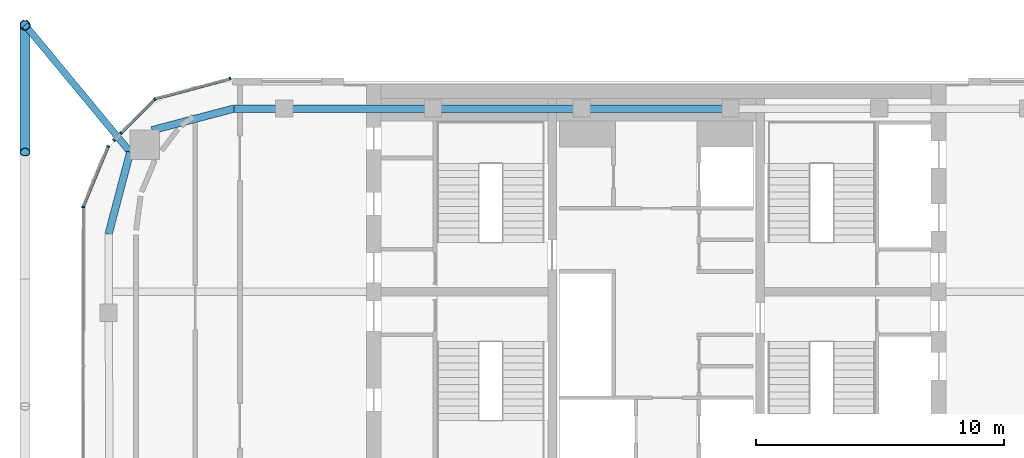
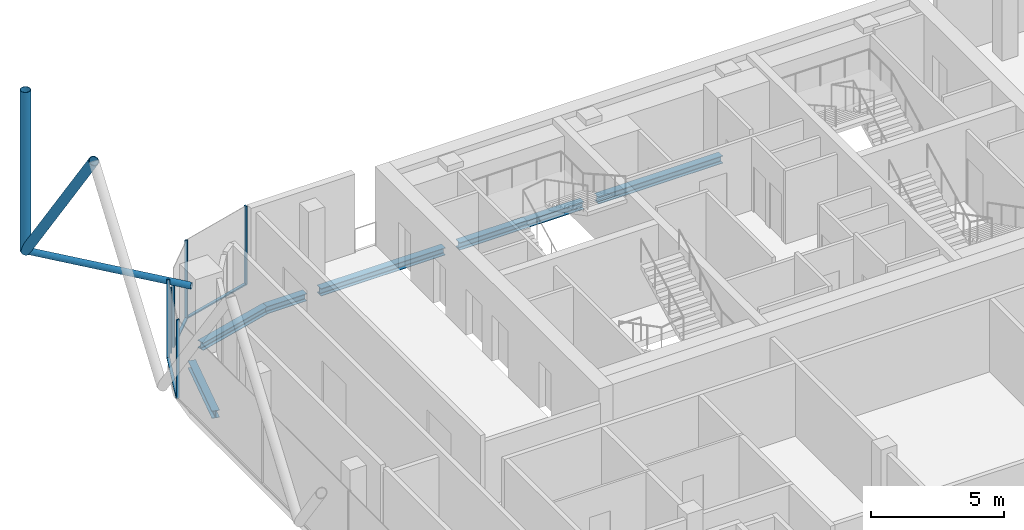
# One storey, part 10 of 27: 12 members, 6 beams, 5 elements without a shape of their own.
"""IFC4 building model written with IfcOpenShell, lengths in metres."""

import ifcopenshell
import ifcopenshell.guid

model = None  # the IFC model being written
_history = None  # IfcOwnerHistory: only IFC2X3 demands one
_inside = {}  # id of a spatial element -> (the spatial element, [elements in it])
_under = {}  # id of a project, library or spatial element -> (it, [spatial elements below it])
_declared = {}  # id of a project -> (the project, [libraries it declares])
_typed = {}  # id of a type object -> (the type object, [elements of that type])
_made_of = {}  # id of a material, layer set ... -> (it, [elements and type objects made of it])


def new_model(schema):
    """Start an empty IFC model of exactly this schema.

    Asked for "IFC4X3", IfcOpenShell would pick the latest addendum, in which some entities
    have other attributes; the version numbers below select the first issue.
    IFC2X3 requires an IfcOwnerHistory on every rooted entity: one is made here for all.
    """
    global model, _history
    if schema == "IFC4X3":
        model = ifcopenshell.file(schema_version=(4, 3, 0, 0))
    else:
        model = ifcopenshell.file(schema=schema)
    _inside.clear()
    _under.clear()
    _declared.clear()
    _typed.clear()
    _made_of.clear()
    _history = None
    if model.schema == "IFC2X3":
        org = make("IfcOrganization", Name="unknown")
        user = make(
            "IfcPersonAndOrganization",
            ThePerson=make("IfcPerson", FamilyName="unknown"),
            TheOrganization=org,
        )
        app = make(
            "IfcApplication",
            ApplicationDeveloper=org,
            Version="unknown",
            ApplicationFullName="unknown",
            ApplicationIdentifier="unknown",
        )
        _history = make(
            "IfcOwnerHistory",
            OwningUser=user,
            OwningApplication=app,
            ChangeAction="ADDED",
            CreationDate=0,
        )
    return model


def make(cls, **values):
    """One entity of the class cls with the attributes given. An attribute that is None is left unset."""
    return model.create_entity(
        cls, **{name: value for name, value in values.items() if value is not None}
    )


def rooted(cls, **values):
    """An entity with a GlobalId (a new one), such as an element, a storey or a relation."""
    return make(cls, GlobalId=ifcopenshell.guid.new(), OwnerHistory=_history, **values)


def si_unit(unit_type, name, prefix=None):
    """IfcSIUnit, for example si_unit("LENGTHUNIT", "METRE", prefix="MILLI")."""
    return make("IfcSIUnit", UnitType=unit_type, Prefix=prefix, Name=name)


def assignment(units):
    """IfcUnitAssignment: the units of a project."""
    return None if units is None else make("IfcUnitAssignment", Units=units)


def point(xyz):
    """IfcCartesianPoint."""
    return None if xyz is None else make("IfcCartesianPoint", Coordinates=xyz)


def direction(xyz):
    """IfcDirection."""
    return None if xyz is None else make("IfcDirection", DirectionRatios=xyz)


def frame(location, z_axis=None, x_axis=None):
    """IfcAxis2Placement3D, a coordinate frame: its origin and axes. An axis left out is left unset."""
    return make(
        "IfcAxis2Placement3D",
        Location=point(location),
        Axis=direction(z_axis),
        RefDirection=direction(x_axis),
    )


def frame_2d(location, x_axis=None):
    """IfcAxis2Placement2D, a coordinate frame in the plane: its origin and x axis."""
    return make(
        "IfcAxis2Placement2D", Location=point(location), RefDirection=direction(x_axis)
    )


def origin():
    """The frame at (0, 0, 0) with its axes left unset."""
    return frame((0.0, 0.0, 0.0))


def origin_2d():
    """The frame at (0, 0) in the plane with its x axis left unset."""
    return frame_2d((0.0, 0.0))


def place(relative_to, where):
    """IfcLocalPlacement: puts the frame where relative to a parent placement (None: the world)."""
    return make(
        "IfcLocalPlacement", PlacementRelTo=relative_to, RelativePlacement=where
    )


def context(
    kind, dimensions, precision=None, world=None, true_north=None, identifier=None
):
    """IfcGeometricRepresentationContext, for example the 3D "Model" context."""
    return make(
        "IfcGeometricRepresentationContext",
        ContextIdentifier=identifier,
        ContextType=kind,
        CoordinateSpaceDimension=dimensions,
        Precision=precision,
        WorldCoordinateSystem=world,
        TrueNorth=true_north,
    )


def subcontext(parent, identifier, kind, view, scale=None):
    """IfcGeometricRepresentationSubContext, for example "Body" below "Model"."""
    return make(
        "IfcGeometricRepresentationSubContext",
        ContextIdentifier=identifier,
        ContextType=kind,
        ParentContext=parent,
        TargetScale=scale,
        TargetView=view,
    )


def project(units=None, contexts=None):
    """IfcProject with its units and contexts."""
    return rooted(
        "IfcProject",
        Name="project",
        RepresentationContexts=contexts,
        UnitsInContext=assignment(units),
    )


def spatial(cls, under=None, at=None, **own):
    """A site, building, storey or space (cls), placed at a placement, below another one or the project."""
    s = rooted(cls, ObjectPlacement=at, **own)
    if under is not None:
        _under.setdefault(under.id(), (under, []))[1].append(s)
    return s


def profile(cls, at=None, kind="AREA", **sizes):
    """A parametric profile (cls). Its sizes go by their IFC names, for example OverallWidth=200.0."""
    return make(cls, ProfileType=kind, Position=at, **sizes)


def rectangle(**sizes):
    """IfcRectangleProfileDef."""
    return profile("IfcRectangleProfileDef", **sizes)


def hollow_circle(**sizes):
    """IfcCircleHollowProfileDef."""
    return profile("IfcCircleHollowProfileDef", **sizes)


def i_section(**sizes):
    """IfcIShapeProfileDef."""
    return profile("IfcIShapeProfileDef", **sizes)


def extrude(swept, where, along, depth):
    """IfcExtrudedAreaSolid: the profile swept, set in the frame where, extruded along a direction by depth."""
    return make(
        "IfcExtrudedAreaSolid",
        SweptArea=swept,
        Position=where,
        ExtrudedDirection=direction(along),
        Depth=depth,
    )


def shape(context_of_items, identifier, shape_type, items):
    """IfcShapeRepresentation: the items that make up one representation, for example the "Body"."""
    return make(
        "IfcShapeRepresentation",
        ContextOfItems=context_of_items,
        RepresentationIdentifier=identifier,
        RepresentationType=shape_type,
        Items=items,
    )


def material(Name=None, Category=None):
    """IfcMaterial."""
    return make("IfcMaterial", Name=Name, Category=Category)


def layer(
    of_material, thickness, ventilated=None, Name=None, Category=None, Priority=None
):
    """IfcMaterialLayer: one layer of a wall or slab, of a material (None: an air gap)."""
    return make(
        "IfcMaterialLayer",
        Material=of_material,
        LayerThickness=thickness,
        IsVentilated=ventilated,
        Name=Name,
        Category=Category,
        Priority=Priority,
    )


def layer_set(layers, Name=None):
    """IfcMaterialLayerSet."""
    return make("IfcMaterialLayerSet", MaterialLayers=layers, LayerSetName=Name)


def material_profile(
    of_material, cross_section, Name=None, Category=None, Priority=None
):
    """IfcMaterialProfile: a cross section and its material."""
    return make(
        "IfcMaterialProfile",
        Name=Name,
        Material=of_material,
        Profile=cross_section,
        Priority=Priority,
        Category=Category,
    )


def profile_set(profiles, Name=None, composite=None):
    """IfcMaterialProfileSet."""
    return make(
        "IfcMaterialProfileSet",
        Name=Name,
        MaterialProfiles=profiles,
        CompositeProfile=composite,
    )


def made_of(thing, what):
    """Note that an element or type object is made of a material, layer set ...; save() writes the relation."""
    if what is not None:
        _made_of.setdefault(what.id(), (what, []))[1].append(thing)
    return thing


def type_object(cls, material=None, **own):
    """A type object (cls), such as IfcWallType, which elements share."""
    return made_of(rooted(cls, **own), material)


def element(
    cls,
    number,
    at=None,
    inside=None,
    cuts=None,
    type_object=None,
    material=None,
    context=None,
    identifier="Body",
    shape_type=None,
    held_by="IfcProductDefinitionShape",
    body=None,
    shapes=None,
    **own,
):
    """One element of the class cls, such as IfcWall. Its Tag is "e" and its number.

    at: its placement. inside: the storey or other place that contains it. cuts: it is an
    opening in that element (IfcRelVoidsElement). A single representation is given by context,
    identifier, shape_type and body (its items); several are given by shapes. held_by: the class
    of the entity that holds the representations. save() writes the other relations.
    """
    e = rooted(cls, Tag="e%d" % number, ObjectPlacement=at, **own)
    if body is not None:
        shapes = [shape(context, identifier, shape_type, body)]
    if shapes is not None:
        e.Representation = make(held_by, Representations=shapes)
    if inside is not None:
        _inside.setdefault(inside.id(), (inside, []))[1].append(e)
    if cuts is not None:
        rooted(
            "IfcRelVoidsElement", RelatingBuildingElement=cuts, RelatedOpeningElement=e
        )
    if type_object is not None:
        _typed.setdefault(type_object.id(), (type_object, []))[1].append(e)
    return made_of(e, material)


def aggregate(whole, parts):
    """IfcRelAggregates: a whole, such as a stair, and the parts it consists of."""
    return rooted("IfcRelAggregates", RelatingObject=whole, RelatedObjects=parts)


def save(model, path):
    """Write the relations noted so far, then the file.

    IfcRelAggregates (storeys below a building ...), IfcRelContainedInSpatialStructure (elements
    in a storey), IfcRelDefinesByType, IfcRelAssociatesMaterial and IfcRelDeclares: one each for
    every whole, place, type object, material and project.
    """
    for whole, parts in _under.values():
        aggregate(whole, parts)
    for where, things in _inside.values():
        rooted(
            "IfcRelContainedInSpatialStructure",
            RelatedElements=things,
            RelatingStructure=where,
        )
    for kind, things in _typed.values():
        rooted("IfcRelDefinesByType", RelatedObjects=things, RelatingType=kind)
    for what, things in _made_of.values():
        rooted("IfcRelAssociatesMaterial", RelatedObjects=things, RelatingMaterial=what)
    for by, libraries in _declared.values():
        rooted("IfcRelDeclares", RelatingContext=by, RelatedDefinitions=libraries)
    model.write(path)


model = new_model("IFC4")

# Units and contexts
model_context = context("Model", 3, precision=1e-05, world=origin(), true_north=direction((0.0, 1.0)))
body_context = subcontext(model_context, "Body", "Model", "MODEL_VIEW")
ifc_project = project(units=[si_unit("LENGTHUNIT", "METRE"), si_unit("AREAUNIT", "SQUARE_METRE"), si_unit("VOLUMEUNIT", "CUBIC_METRE"), si_unit("PLANEANGLEUNIT", "RADIAN"), si_unit("MASSUNIT", "GRAM", prefix="KILO")], contexts=[model_context])

# Site, building, storey
site_placement = place(None, origin())
site = spatial("IfcSite", under=ifc_project, at=site_placement, CompositionType="ELEMENT")
building_placement = place(site_placement, origin())
building = spatial("IfcBuilding", under=site, at=building_placement, Name="Marenta Gate Hotel Tower", CompositionType="ELEMENT")
storey_placement = place(building_placement, frame((0.0, 0.0, 270.5)))
storey = spatial("IfcBuildingStorey", under=building, at=storey_placement, Name="L62", CompositionType="ELEMENT", Elevation=270.5)

# Members
ifc_material_1 = material(Name="Steel S355J2W", Category="steel")
ifc_material_profile_1 = material_profile(ifc_material_1, hollow_circle(Radius=0.203125, WallThickness=0.01611328125, at=origin_2d()), Name="CHS 406.4x16")
ifc_profile_set_1 = profile_set([ifc_material_profile_1], Name="Steel S355J2W")
member_type_1 = type_object("IfcMemberType", Name="Diagrid corner post Z4 CHS 406.4x16", PredefinedType="POST", material=ifc_profile_set_1)
member_1_placement = place(storey_placement, frame((-25.469970703125, 19.169921875, 3.139892578125), z_axis=(0.0, 0.0, 1.0), x_axis=(1.0, 0.0, 0.0)))
element("IfcMember", 1, at=member_1_placement, inside=storey, type_object=member_type_1, Name="L62-DR-6", PredefinedType="POST", context=body_context, shape_type="SweptSolid", body=[
    extrude(hollow_circle(Radius=0.203125, WallThickness=0.01611328125, at=origin_2d()), origin(), (0.0, 0.0, 1.0), 7.360107421875),
])
ifc_material_2 = material(Name="Steel S355J2W", Category="steel")
ifc_material_profile_2 = material_profile(ifc_material_2, hollow_circle(Radius=0.203125, WallThickness=0.02490234375, at=origin_2d()), Name="CHS 406.4x25")
ifc_profile_set_2 = profile_set([ifc_material_profile_2], Name="Steel S355J2W")
member_type_2 = type_object("IfcMemberType", Name="Diagrid diagonal Z4 CHS 406.4x25", PredefinedType="BRACE", material=ifc_profile_set_2)
member_2_placement = place(storey_placement, frame((-25.469970703125, 19.169921875, 3.139892578125), z_axis=(0.0, -0.580200600178, 0.81447361133), x_axis=(1.0, 0.0, 0.0)))
element("IfcMember", 2, at=member_2_placement, inside=storey, type_object=member_type_2, Name="L62-DG-34", PredefinedType="BRACE", context=body_context, shape_type="SweptSolid", body=[
    extrude(hollow_circle(Radius=0.203125, WallThickness=0.02490234375, at=origin_2d()), origin(), (0.0, 0.0, 1.0), 8.84033203125),
])

# Beams
ifc_material_3 = material(Name="Steel S355", Category="steel")
ifc_material_profile_3 = material_profile(ifc_material_3, i_section(OverallWidth=0.300048828125, OverallDepth=0.340087890625, WebThickness=0.011962890625, FlangeThickness=0.021484375, FilletRadius=0.027099609375, at=origin_2d()), Name="HEB 340")
ifc_profile_set_3 = profile_set([ifc_material_profile_3], Name="Steel S355")
beam_type = type_object("IfcBeamType", Name="Edge beam HEB 340", PredefinedType="SPANDREL", material=ifc_profile_set_3)
for number, where, z_axis, x_axis, name in (
    (3, (-22.10009765625, 10.734375, -0.429931640625), (0.255659169039, 0.966766977759, 0.0), (-0.966766977759, 0.255659169039, 0.0), "L62-EB-11"),
    (4, (-20.34228515625, 14.92529296875, -0.429931640625), (0.966766977759, 0.255659169039, 0.0), (-0.255659169039, 0.966766977759, 0.0), "L62-EB-12"),
):
    element("IfcBeam", number, at=place(storey_placement, frame(where, z_axis=z_axis, x_axis=x_axis)), inside=storey, type_object=beam_type, Name=name, PredefinedType="SPANDREL", context=body_context, shape_type="SweptSolid", body=[
        extrude(i_section(OverallWidth=0.300048828125, OverallDepth=0.340087890625, WebThickness=0.011962890625, FlangeThickness=0.021484375, FilletRadius=0.027099609375, at=origin_2d()), origin(), (0.0, 0.0, 1.0), 3.421630859375),
    ])
beam_placement = place(storey_placement, frame((-17.034423828125, 15.800048828125, -0.429931640625), z_axis=(1.0, 0.0, 0.0), x_axis=(0.0, 1.0, 0.0)))
element("IfcBeam", 5, at=beam_placement, inside=storey, type_object=beam_type, Name="L62-EB-13", PredefinedType="SPANDREL", context=body_context, shape_type="SweptSolid", body=[
    extrude(i_section(OverallWidth=0.300048828125, OverallDepth=0.340087890625, WebThickness=0.011962890625, FlangeThickness=0.021484375, FilletRadius=0.027099609375, at=origin_2d()), origin(), (0.0, 0.0, 1.0), 1.717529296875),
])
for number, where, z_axis, x_axis, name in (
    (6, (-14.697021484375, 15.800048828125, -0.429931640625), (1.0, 0.0, 0.0), (0.0, 1.0, 0.0), "L62-EB-14"),
    (7, (-8.694091796875, 15.800048828125, -0.429931640625), (1.0, 0.0, 0.0), (0.0, 1.0, 0.0), "L62-EB-15"),
    (8, (-2.69140625, 15.800048828125, -0.429931640625), (1.0, 0.0, 0.0), (0.0, 1.0, 0.0), "L62-EB-16"),
):
    element("IfcBeam", number, at=place(storey_placement, frame(where, z_axis=z_axis, x_axis=x_axis)), inside=storey, type_object=beam_type, Name=name, PredefinedType="SPANDREL", context=body_context, shape_type="SweptSolid", body=[
        extrude(i_section(OverallWidth=0.300048828125, OverallDepth=0.340087890625, WebThickness=0.011962890625, FlangeThickness=0.021484375, FilletRadius=0.027099609375, at=origin_2d()), origin(), (0.0, 0.0, 1.0), 5.3828125),
    ])

# Member
ifc_material_4 = material(Name="Steel S355J2W", Category="steel")
ifc_material_profile_4 = material_profile(ifc_material_4, hollow_circle(Radius=0.136474609375, WallThickness=0.012451171875, at=origin_2d()), Name="CHS 273x12.5")
ifc_profile_set_4 = profile_set([ifc_material_profile_4], Name="Steel S355J2W")
member_type_3 = type_object("IfcMemberType", Name="Floor tie CHS 273x12.5", PredefinedType="STRUT", material=ifc_profile_set_4)
member_3_placement = place(storey_placement, frame((-25.469970703125, 19.169921875, 3.139892578125), z_axis=(0.637678171852, -0.770302894414, 0.0), x_axis=(0.770302894414, 0.637678171852, 0.0)))
element("IfcMember", 9, at=member_3_placement, inside=storey, type_object=member_type_3, Name="L62-DR-12", PredefinedType="STRUT", context=body_context, shape_type="SweptSolid", body=[
    extrude(hollow_circle(Radius=0.136474609375, WallThickness=0.012451171875, at=origin_2d()), origin(), (0.0, 0.0, 1.0), 6.649169921875),
])

# Curtain wall, member
ifc_material_5 = material(Name="Tinted insulated glass in bronze anodised frame", Category="glass")
ifc_layer = layer(ifc_material_5, 0.1201171875)
ifc_layer_set = layer_set([ifc_layer], Name="Tinted insulated glass in bronze anodised frame")
curtain_wall_type = type_object("IfcCurtainWallType", Name="Tower unitised curtain wall CW1", PredefinedType="NOTDEFINED", material=ifc_layer_set)
curtain_wall_1_placement = place(storey_placement, origin())
curtain_wall_1 = element("IfcCurtainWall", 10, at=curtain_wall_1_placement, inside=storey, type_object=curtain_wall_type, Name="CW1 run G00", PredefinedType="NOTDEFINED")
ifc_material_6 = material(Name="Bronze anodised aluminium", Category="aluminium")
ifc_material_profile_5 = material_profile(ifc_material_6, rectangle(XDim=0.1201171875, YDim=0.06005859375, at=origin_2d()), Name="Mullion CW1 60x120 bronze anodised aluminium")
ifc_profile_set_5 = profile_set([ifc_material_profile_5], Name="Bronze anodised aluminium")
member_type_4 = type_object("IfcMemberType", Name="Mullion CW1 60x120 bronze anodised aluminium", PredefinedType="MULLION", material=ifc_profile_set_5)
member_4_placement = place(storey_placement, frame((-17.185546875, 17.003173828125, 0.0), z_axis=(0.0, 0.0, 1.0), x_axis=(0.258801379183, -0.965930559685, 0.0)))
member_4 = element("IfcMember", 11, at=member_4_placement, type_object=member_type_4, Name="CW1 mullion 1", PredefinedType="MULLION", context=body_context, shape_type="SweptSolid", body=[
    extrude(rectangle(XDim=0.1201171875, YDim=0.06005859375, at=origin_2d()), origin(), (0.0, 0.0, 1.0), 3.60009765625),
])

curtain_wall_2_placement = place(storey_placement, origin())
curtain_wall_2 = element("IfcCurtainWall", 12, at=curtain_wall_2_placement, inside=storey, type_object=curtain_wall_type, Name="CW1 run G01", PredefinedType="NOTDEFINED")
member_5_placement = place(storey_placement, frame((-20.234130859375, 16.1708984375, 0.0), z_axis=(0.0, 0.0, 1.0), x_axis=(0.707106781187, -0.707106781187, 0.0)))
member_5 = element("IfcMember", 13, at=member_5_placement, type_object=member_type_4, Name="CW1 mullion 1", PredefinedType="MULLION", context=body_context, shape_type="SweptSolid", body=[
    extrude(rectangle(XDim=0.1201171875, YDim=0.06005859375, at=origin_2d()), origin(), (0.0, 0.0, 1.0), 3.60009765625),
])

# Curtain wall, members
curtain_wall_3_placement = place(storey_placement, origin())
curtain_wall_3 = element("IfcCurtainWall", 14, at=curtain_wall_3_placement, inside=storey, type_object=curtain_wall_type, Name="CW1 run G02", PredefinedType="NOTDEFINED")
member_6_placement = place(storey_placement, frame((-21.600830078125, 14.80419921875, 0.0), z_axis=(0.0, 0.0, 1.0), x_axis=(0.707106781187, -0.707106781187, 0.0)))
member_6 = element("IfcMember", 15, at=member_6_placement, type_object=member_type_4, Name="CW1 mullion 1", PredefinedType="MULLION", context=body_context, shape_type="SweptSolid", body=[
    extrude(rectangle(XDim=0.1201171875, YDim=0.06005859375, at=origin_2d()), origin(), (0.0, 0.0, 1.0), 3.00048828125),
])
member_7_placement = place(storey_placement, frame((-21.880126953125, 14.52490234375, 0.0), z_axis=(0.0, 0.0, 1.0), x_axis=(0.707106781187, -0.707106781187, 0.0)))
member_7 = element("IfcMember", 16, at=member_7_placement, type_object=member_type_4, Name="CW1 mullion 2", PredefinedType="MULLION", context=body_context, shape_type="SweptSolid", body=[
    extrude(rectangle(XDim=0.1201171875, YDim=0.06005859375, at=origin_2d()), origin(), (0.0, 0.0, 1.0), 3.00048828125),
])
aggregate(curtain_wall_3, [member_6, member_7])

# Curtain wall, member
curtain_wall_4_placement = place(storey_placement, origin())
curtain_wall_4 = element("IfcCurtainWall", 17, at=curtain_wall_4_placement, inside=storey, type_object=curtain_wall_type, Name="CW1 run G03", PredefinedType="NOTDEFINED")
member_8_placement = place(storey_placement, frame((-22.115234375, 14.273681640625, 0.0), z_axis=(0.0, 0.0, 1.0), x_axis=(0.923886433266, -0.382666772044, 0.0)))
member_8 = element("IfcMember", 18, at=member_8_placement, type_object=member_type_4, Name="CW1 mullion 1", PredefinedType="MULLION", context=body_context, shape_type="SweptSolid", body=[
    extrude(rectangle(XDim=0.1201171875, YDim=0.06005859375, at=origin_2d()), origin(), (0.0, 0.0, 1.0), 3.60009765625),
])

curtain_wall_5_placement = place(storey_placement, origin())
curtain_wall_5 = element("IfcCurtainWall", 19, at=curtain_wall_5_placement, inside=storey, type_object=curtain_wall_type, Name="CW1 run G04", PredefinedType="NOTDEFINED")
member_9_placement = place(storey_placement, frame((-23.1123046875, 11.836181640625, 0.0), z_axis=(0.0, 0.0, 1.0), x_axis=(0.99999877375, -0.001566045546, 0.0)))
member_9 = element("IfcMember", 20, at=member_9_placement, type_object=member_type_4, Name="CW1 mullion 1", PredefinedType="MULLION", context=body_context, shape_type="SweptSolid", body=[
    extrude(rectangle(XDim=0.1201171875, YDim=0.06005859375, at=origin_2d()), origin(), (0.0, 0.0, 1.0), 3.60009765625),
])
aggregate(curtain_wall_5, [member_9])

# Member
ifc_material_7 = material(Name="Bronze anodised aluminium", Category="aluminium")
ifc_material_profile_6 = material_profile(ifc_material_7, rectangle(XDim=0.1201171875, YDim=0.06005859375, at=origin_2d()), Name="Transom CW1 60x120 bronze anodised aluminium")
ifc_profile_set_6 = profile_set([ifc_material_profile_6], Name="Bronze anodised aluminium")
member_type_5 = type_object("IfcMemberType", Name="Transom CW1 60x120 bronze anodised aluminium", PredefinedType="USERDEFINED", material=ifc_profile_set_6)
member_10_placement = place(storey_placement, frame((-17.21435546875, 16.995361328125, 0.030029296875), z_axis=(-0.965944541425, -0.258749189162, 0.0), x_axis=(0.258749189162, -0.965944541425, 0.0)))
member_10 = element("IfcMember", 21, at=member_10_placement, type_object=member_type_5, Name="CW1 transom 1.1", ObjectType="TRANSOM", PredefinedType="USERDEFINED", context=body_context, shape_type="SweptSolid", body=[
    extrude(rectangle(XDim=0.1201171875, YDim=0.06005859375, at=origin_2d()), origin(), (0.0, 0.0, 1.0), 3.104248046875),
])

aggregate(curtain_wall_1, [member_4, member_10])

member_11_placement = place(storey_placement, frame((-20.25537109375, 16.149658203125, 0.030029296875), z_axis=(-0.707106781187, -0.707106781187, 0.0), x_axis=(0.707106781187, -0.707106781187, 0.0)))
member_11 = element("IfcMember", 22, at=member_11_placement, type_object=member_type_5, Name="CW1 transom 1.1", ObjectType="TRANSOM", PredefinedType="USERDEFINED", context=body_context, shape_type="SweptSolid", body=[
    extrude(rectangle(XDim=0.1201171875, YDim=0.06005859375, at=origin_2d()), origin(), (0.0, 0.0, 1.0), 1.872802734375),
])

aggregate(curtain_wall_2, [member_5, member_11])

member_12_placement = place(storey_placement, frame((-22.126708984375, 14.245849609375, 0.030029296875), z_axis=(-0.382655957149, -0.92389091264, 0.0), x_axis=(0.92389091264, -0.382655957149, 0.0)))
member_12 = element("IfcMember", 23, at=member_12_placement, type_object=member_type_5, Name="CW1 transom 1.1", ObjectType="TRANSOM", PredefinedType="USERDEFINED", context=body_context, shape_type="SweptSolid", body=[
    extrude(rectangle(XDim=0.1201171875, YDim=0.06005859375, at=origin_2d()), origin(), (0.0, 0.0, 1.0), 2.57568359375),
])

aggregate(curtain_wall_4, [member_8, member_12])

save(model, "model.ifc")
